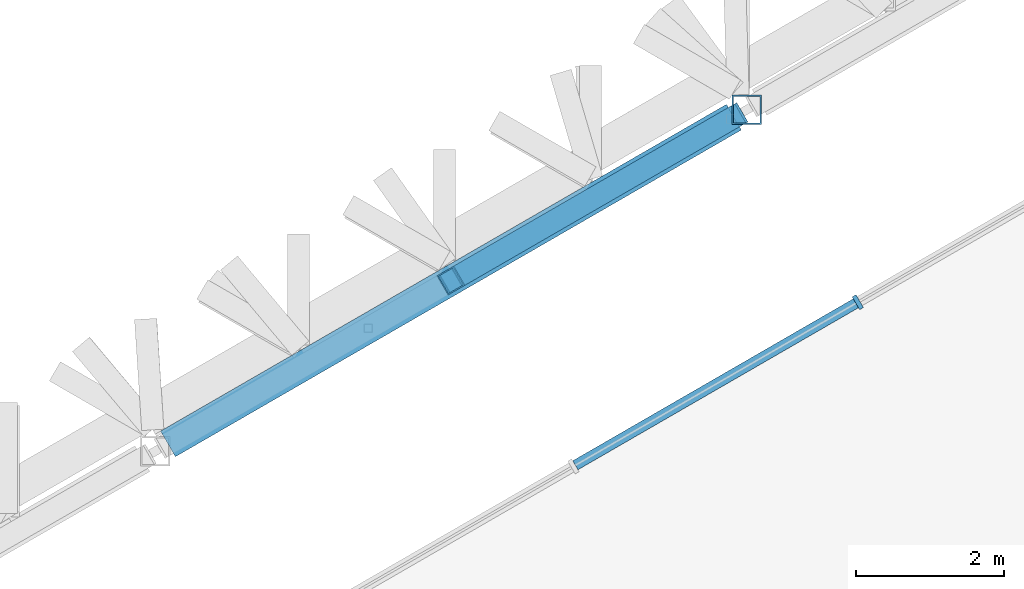
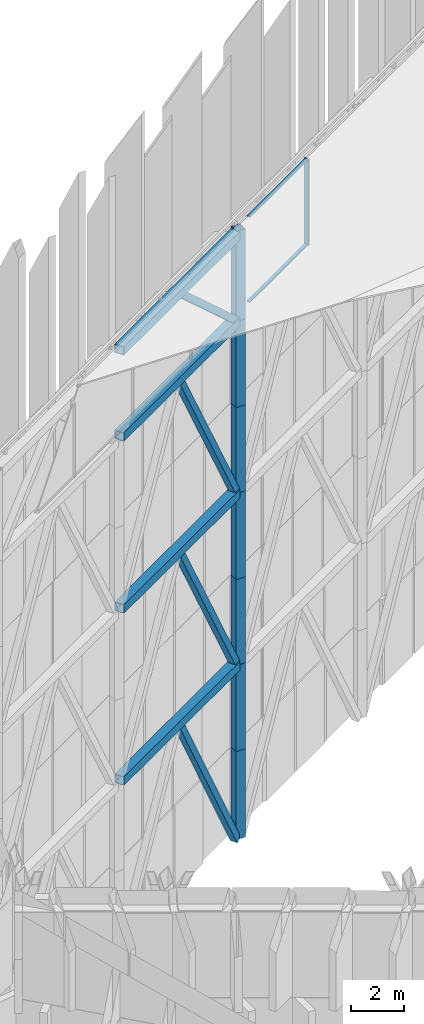
# One storey, part 11 of 45: 18 members, 1 element without a shape of its own.
"""IFC4 building model written with IfcOpenShell, lengths in metres."""

from ifc_helpers import new_model, si_unit, direction, frame, origin, origin_2d, place, context, subcontext, project, spatial, rectangle, hollow_rectangle, extrude, material, layer, layer_set, material_profile, profile_set, type_object, element, aggregate, save


model = new_model("IFC4")

# Units and contexts
model_context = context("Model", 3, precision=1e-05, world=origin(), true_north=direction((0.0, 1.0)))
body_context = subcontext(model_context, "Body", "Model", "MODEL_VIEW")
ifc_project = project(units=[si_unit("LENGTHUNIT", "METRE"), si_unit("AREAUNIT", "SQUARE_METRE"), si_unit("VOLUMEUNIT", "CUBIC_METRE"), si_unit("PLANEANGLEUNIT", "RADIAN"), si_unit("MASSUNIT", "GRAM", prefix="KILO")], contexts=[model_context])

# Site, building, storey
site_placement = place(None, origin())
site = spatial("IfcSite", under=ifc_project, at=site_placement, CompositionType="ELEMENT")
building_placement = place(site_placement, origin())
building = spatial("IfcBuilding", under=site, at=building_placement, Name="Jabali Bay Hotel Tower and Convention Centre", CompositionType="ELEMENT")
storey_placement = place(building_placement, frame((0.0, 0.0, 322.39990234375)))
storey = spatial("IfcBuildingStorey", under=building, at=storey_placement, Name="Crown", CompositionType="ELEMENT", Elevation=322.39990234375)

# Curtain wall, members
ifc_material_1 = material(Name="Aluminium and glass", Category="aluminium")
ifc_layer = layer(ifc_material_1, 0.199951171875)
ifc_layer_set = layer_set([ifc_layer], Name="Aluminium and glass")
curtain_wall_type = type_object("IfcCurtainWallType", Name="CW6 curtain wall", PredefinedType="NOTDEFINED", material=ifc_layer_set)
curtain_wall_placement = place(storey_placement, origin())
curtain_wall = element("IfcCurtainWall", 1, at=curtain_wall_placement, inside=storey, type_object=curtain_wall_type, Name="CW6 lantern glazing 3", PredefinedType="NOTDEFINED")
ifc_material_2 = material(Name="Aluminium", Category="aluminium")
ifc_material_profile_1 = material_profile(ifc_material_2, rectangle(XDim=0.199951171875, YDim=0.06005859375, at=origin_2d()), Name="CW6 mullion 60 x 200")
ifc_profile_set_1 = profile_set([ifc_material_profile_1], Name="Aluminium")
member_type_1 = type_object("IfcMemberType", Name="CW6 mullion 60 x 200", PredefinedType="MULLION", material=ifc_profile_set_1)
member_1_placement = place(storey_placement, frame((67.425537109375, 93.119140625, 28.35009765625), z_axis=(0.0, 0.0, 1.0), x_axis=(0.500000005124, -0.866025400826, 0.0)))
member_1 = element("IfcMember", 2, at=member_1_placement, type_object=member_type_1, Name="CW6 mullion 6", PredefinedType="MULLION", context=body_context, shape_type="SweptSolid", body=[
    extrude(rectangle(XDim=0.199951171875, YDim=0.06005859375, at=origin_2d()), origin(), (0.0, 0.0, 1.0), 4.0),
])
ifc_material_profile_2 = material_profile(ifc_material_2, rectangle(XDim=0.139892578125, YDim=0.06005859375, at=origin_2d()), Name="CW6 transom 60 x 140")
ifc_profile_set_2 = profile_set([ifc_material_profile_2], Name="Aluminium")
member_type_2 = type_object("IfcMemberType", Name="CW6 transom 60 x 140", PredefinedType="USERDEFINED", material=ifc_profile_set_2)
member_2_placement = place(storey_placement, frame((67.399658203125, 93.104248046875, 28.380126953125), z_axis=(-0.866029434536, -0.499993018469, 0.0), x_axis=(0.499993018469, -0.866029434536, 0.0)))
member_2 = element("IfcMember", 3, at=member_2_placement, type_object=member_type_2, Name="CW6 transom 6.1", ObjectType="TRANSOM", PredefinedType="USERDEFINED", context=body_context, shape_type="SweptSolid", body=[
    extrude(rectangle(XDim=0.139892578125, YDim=0.06005859375, at=origin_2d()), origin(), (0.0, 0.0, 1.0), 4.3740234375),
])
member_3_placement = place(storey_placement, frame((67.399658203125, 93.104248046875, 32.320068359375), z_axis=(-0.866029434536, -0.499993018469, 0.0), x_axis=(0.499993018469, -0.866029434536, 0.0)))
member_3 = element("IfcMember", 4, at=member_3_placement, type_object=member_type_2, Name="CW6 transom 6.2", ObjectType="TRANSOM", PredefinedType="USERDEFINED", context=body_context, shape_type="SweptSolid", body=[
    extrude(rectangle(XDim=0.139892578125, YDim=0.06005859375, at=origin_2d()), origin(), (0.0, 0.0, 1.0), 4.3740234375),
])
aggregate(curtain_wall, [member_1, member_2, member_3])

# Members
ifc_material_3 = material(Name="Steel Q420GJC", Category="steel")
ifc_material_profile_3 = material_profile(ifc_material_3, hollow_rectangle(XDim=0.300048828125, YDim=0.300048828125, WallThickness=0.01611328125, at=origin_2d()), Name="Crown frame brace 300x300x16")
ifc_profile_set_3 = profile_set([ifc_material_profile_3], Name="Steel Q420GJC")
member_type_3 = type_object("IfcMemberType", Name="Crown frame brace 300x300x16", PredefinedType="USERDEFINED", material=ifc_profile_set_3)
member_4_placement = place(storey_placement, frame((65.75244140625, 95.6171875, -0.099853515625), z_axis=(-0.415337197949, -0.239785036188, 0.877495383703), x_axis=(0.499984350684, -0.866034438732, 0.0)))
element("IfcMember", 5, at=member_4_placement, inside=storey, type_object=member_type_3, Name="Crown brace 1 F1.3-F1.4l", ObjectType="CROWN FRAME", PredefinedType="USERDEFINED", context=body_context, shape_type="SweptSolid", body=[
    extrude(hollow_rectangle(XDim=0.300048828125, YDim=0.300048828125, WallThickness=0.01611328125, at=origin_2d()), origin(), (0.0, 0.0, 1.0), 9.197998046875),
])
for number, where, z_axis, x_axis, name in (
    (6, (65.75244140625, 95.6171875, 7.971435546875), (-0.419325955277, -0.242087850203, 0.874962408344), (0.499984350684, -0.866034438732, 0.0), "Crown brace 2 F1.3-F1.4l"),
    (7, (65.75244140625, 95.6171875, 15.94287109375), (-0.419325955277, -0.242087850203, 0.874962408344), (0.499984350684, -0.866034438732, 0.0), "Crown brace 3 F1.3-F1.4l"),
):
    element("IfcMember", number, at=place(storey_placement, frame(where, z_axis=z_axis, x_axis=x_axis)), inside=storey, type_object=member_type_3, Name=name, ObjectType="CROWN FRAME", PredefinedType="USERDEFINED", context=body_context, shape_type="SweptSolid", body=[
        extrude(hollow_rectangle(XDim=0.300048828125, YDim=0.300048828125, WallThickness=0.01611328125, at=origin_2d()), origin(), (0.0, 0.0, 1.0), 9.110595703125),
    ])
member_5_placement = place(storey_placement, frame((65.75244140625, 95.6171875, 23.914306640625), z_axis=(-0.642580200518, -0.370978369854, 0.670422057366), x_axis=(0.499984350684, -0.866034438732, 0.0)))
element("IfcMember", 8, at=member_5_placement, inside=storey, type_object=member_type_3, Name="Crown brace 4 F1.3-F1.4l", ObjectType="CROWN FRAME", PredefinedType="USERDEFINED", context=body_context, shape_type="SweptSolid", body=[
    extrude(hollow_rectangle(XDim=0.300048828125, YDim=0.300048828125, WallThickness=0.01611328125, at=origin_2d()), origin(), (0.0, 0.0, 1.0), 5.9453125),
])
ifc_material_profile_4 = material_profile(ifc_material_3, hollow_rectangle(XDim=0.39990234375, YDim=0.39990234375, WallThickness=0.02001953125, at=origin_2d()), Name="Crown frame member 400x400x20")
ifc_profile_set_4 = profile_set([ifc_material_profile_4], Name="Steel Q420GJC")
member_type_4 = type_object("IfcMemberType", Name="Crown frame member 400x400x20", PredefinedType="USERDEFINED", material=ifc_profile_set_4)
member_6_placement = place(storey_placement, frame((65.925537109375, 95.71728515625, -0.099853515625), z_axis=(0.0, 0.0, 1.0), x_axis=(1.0, 0.0, 0.0)))
element("IfcMember", 9, at=member_6_placement, inside=storey, type_object=member_type_4, Name="Crown post F1.3 1", ObjectType="CROWN FRAME", PredefinedType="USERDEFINED", context=body_context, shape_type="SweptSolid", body=[
    extrude(hollow_rectangle(XDim=0.39990234375, YDim=0.39990234375, WallThickness=0.02001953125, at=origin_2d()), origin(), (0.0, 0.0, 1.0), 4.085693359375),
])
member_7_placement = place(storey_placement, frame((65.925537109375, 95.71728515625, 3.98583984375), z_axis=(0.0, 0.0, 1.0), x_axis=(1.0, 0.0, 0.0)))
element("IfcMember", 10, at=member_7_placement, inside=storey, type_object=member_type_4, Name="Crown post F1.3 2", ObjectType="CROWN FRAME", PredefinedType="USERDEFINED", context=body_context, shape_type="SweptSolid", body=[
    extrude(hollow_rectangle(XDim=0.39990234375, YDim=0.39990234375, WallThickness=0.02001953125, at=origin_2d()), origin(), (0.0, 0.0, 1.0), 3.985595703125),
])
member_8_placement = place(storey_placement, frame((65.925537109375, 95.71728515625, 7.971435546875), z_axis=(0.0, 0.0, 1.0), x_axis=(1.0, 0.0, 0.0)))
element("IfcMember", 11, at=member_8_placement, inside=storey, type_object=member_type_4, Name="Crown post F1.3 3", ObjectType="CROWN FRAME", PredefinedType="USERDEFINED", context=body_context, shape_type="SweptSolid", body=[
    extrude(hollow_rectangle(XDim=0.39990234375, YDim=0.39990234375, WallThickness=0.02001953125, at=origin_2d()), origin(), (0.0, 0.0, 1.0), 3.98583984375),
])
member_9_placement = place(storey_placement, frame((65.925537109375, 95.71728515625, 11.957275390625), z_axis=(0.0, 0.0, 1.0), x_axis=(1.0, 0.0, 0.0)))
element("IfcMember", 12, at=member_9_placement, inside=storey, type_object=member_type_4, Name="Crown post F1.3 4", ObjectType="CROWN FRAME", PredefinedType="USERDEFINED", context=body_context, shape_type="SweptSolid", body=[
    extrude(hollow_rectangle(XDim=0.39990234375, YDim=0.39990234375, WallThickness=0.02001953125, at=origin_2d()), origin(), (0.0, 0.0, 1.0), 3.985595703125),
])
member_10_placement = place(storey_placement, frame((65.925537109375, 95.71728515625, 15.94287109375), z_axis=(0.0, 0.0, 1.0), x_axis=(1.0, 0.0, 0.0)))
element("IfcMember", 13, at=member_10_placement, inside=storey, type_object=member_type_4, Name="Crown post F1.3 5", ObjectType="CROWN FRAME", PredefinedType="USERDEFINED", context=body_context, shape_type="SweptSolid", body=[
    extrude(hollow_rectangle(XDim=0.39990234375, YDim=0.39990234375, WallThickness=0.02001953125, at=origin_2d()), origin(), (0.0, 0.0, 1.0), 3.98583984375),
])
member_11_placement = place(storey_placement, frame((65.925537109375, 95.71728515625, 19.9287109375), z_axis=(0.0, 0.0, 1.0), x_axis=(1.0, 0.0, 0.0)))
element("IfcMember", 14, at=member_11_placement, inside=storey, type_object=member_type_4, Name="Crown post F1.3 6", ObjectType="CROWN FRAME", PredefinedType="USERDEFINED", context=body_context, shape_type="SweptSolid", body=[
    extrude(hollow_rectangle(XDim=0.39990234375, YDim=0.39990234375, WallThickness=0.02001953125, at=origin_2d()), origin(), (0.0, 0.0, 1.0), 3.985595703125),
])
member_12_placement = place(storey_placement, frame((65.925537109375, 95.71728515625, 23.914306640625), z_axis=(0.0, 0.0, 1.0), x_axis=(1.0, 0.0, 0.0)))
element("IfcMember", 15, at=member_12_placement, inside=storey, type_object=member_type_4, Name="Crown post F1.3 7", ObjectType="CROWN FRAME", PredefinedType="USERDEFINED", context=body_context, shape_type="SweptSolid", body=[
    extrude(hollow_rectangle(XDim=0.39990234375, YDim=0.39990234375, WallThickness=0.02001953125, at=origin_2d()), origin(), (0.0, 0.0, 1.0), 4.185791015625),
])
for number, where, z_axis, x_axis, name in (
    (16, (65.75244140625, 95.6171875, 7.971435546875), (-0.866029374302, -0.499993122799, 0.0), (0.499993122799, -0.866029374302, 0.0), "Crown ring 330.371 F1.3-F1.4"),
    (17, (65.75244140625, 95.6171875, 15.94287109375), (-0.866029374302, -0.499993122799, 0.0), (0.499993122799, -0.866029374302, 0.0), "Crown ring 338.343 F1.3-F1.4"),
    (18, (65.75244140625, 95.6171875, 23.914306640625), (-0.866029374302, -0.499993122799, 0.0), (0.499993122799, -0.866029374302, 0.0), "Crown ring 346.314 F1.3-F1.4"),
    (19, (65.75244140625, 95.6171875, 27.900146484375), (-0.866029374302, -0.499993122799, 0.0), (0.499993122799, -0.866029374302, 0.0), "Crown ring 350.3 F1.3-F1.4"),
):
    element("IfcMember", number, at=place(storey_placement, frame(where, z_axis=z_axis, x_axis=x_axis)), inside=storey, type_object=member_type_4, Name=name, ObjectType="CROWN FRAME", PredefinedType="USERDEFINED", context=body_context, shape_type="SweptSolid", body=[
        extrude(hollow_rectangle(XDim=0.39990234375, YDim=0.39990234375, WallThickness=0.02001953125, at=origin_2d()), origin(), (0.0, 0.0, 1.0), 8.82275390625),
    ])

save(model, "model.ifc")
